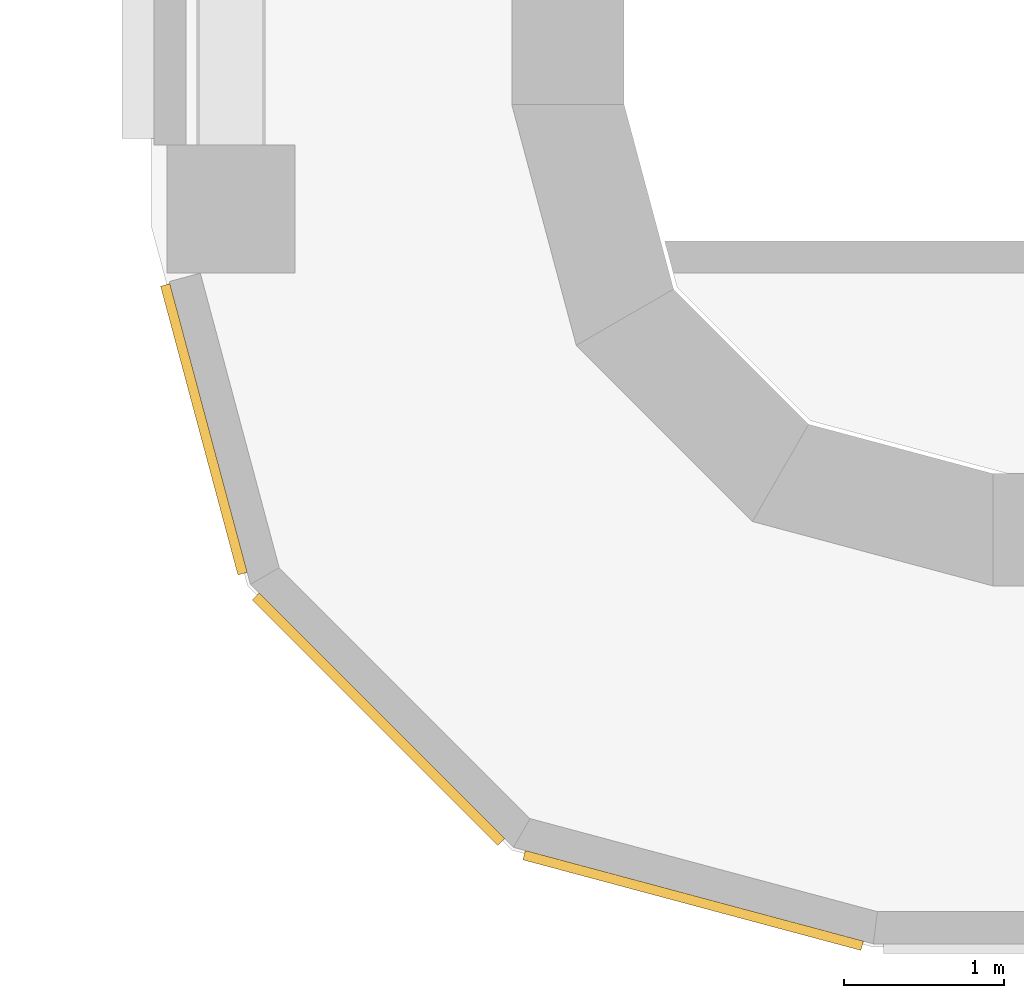
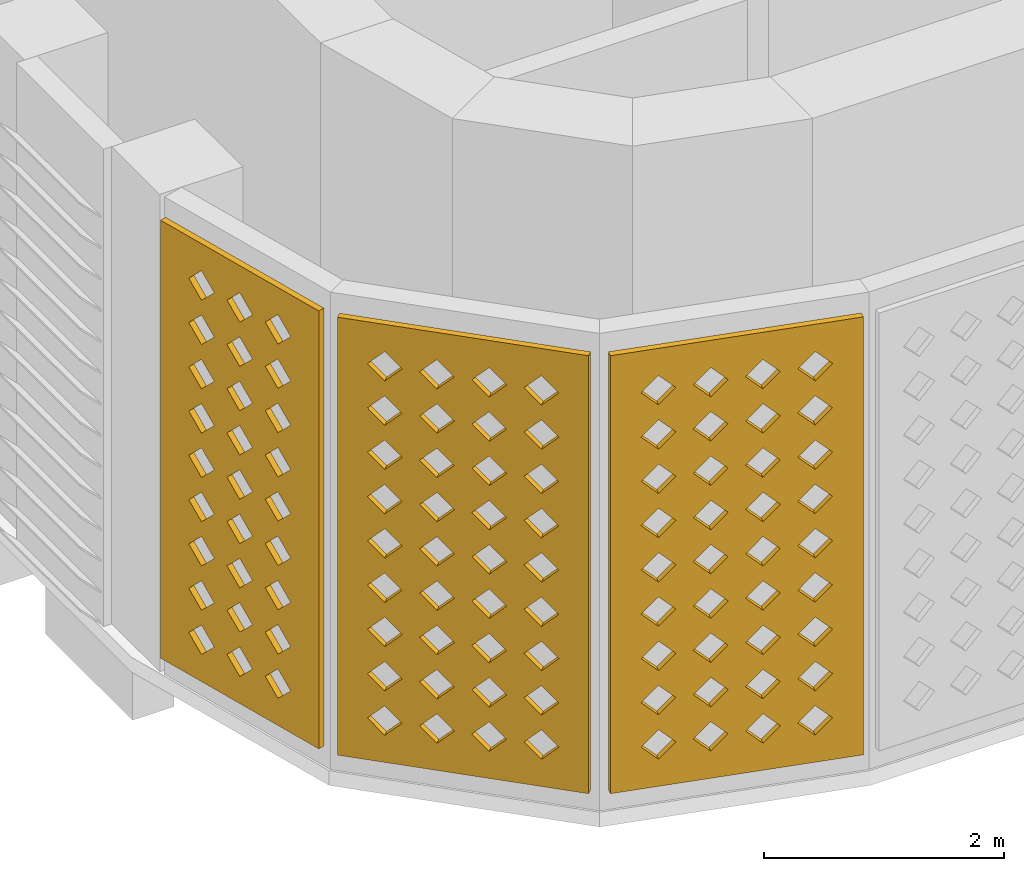
# One storey, part 9 of 21: 3 coverings.
"""IFC4 building model written with IfcOpenShell, lengths in metres."""

from ifc_helpers import new_model, si_unit, direction, frame, origin, place, context, subcontext, project, spatial, polyline, outline, extrude, source, transform, mapped, material, layer, layer_set, type_object, element, save


model = new_model("IFC4")

# Units and contexts
model_context = context("Model", 3, precision=1e-05, world=origin(), true_north=direction((0.0, 1.0)))
body_context = subcontext(model_context, "Body", "Model", "MODEL_VIEW")
ifc_project = project(units=[si_unit("LENGTHUNIT", "METRE"), si_unit("AREAUNIT", "SQUARE_METRE"), si_unit("VOLUMEUNIT", "CUBIC_METRE"), si_unit("PLANEANGLEUNIT", "RADIAN"), si_unit("MASSUNIT", "GRAM", prefix="KILO")], contexts=[model_context])

# Site, building, storey
site_placement = place(None, origin())
site = spatial("IfcSite", under=ifc_project, at=site_placement, CompositionType="ELEMENT")
building_placement = place(site_placement, origin())
building = spatial("IfcBuilding", under=site, at=building_placement, Name="Zarbagh Exchange Tower", CompositionType="ELEMENT")
storey_placement = place(building_placement, frame((0.0, 0.0, 190.39990234375)))
storey = spatial("IfcBuildingStorey", under=building, at=storey_placement, Name="L46", CompositionType="ELEMENT", Elevation=190.39990234375)

# Coverings
ifc_material = material(Name="Glass-fibre reinforced concrete GFRC C50/60", Category="concrete")
ifc_layer = layer(ifc_material, 0.06005859375)
ifc_layer_set = layer_set([ifc_layer], Name="SCREEN jali panel, GFRC")
covering_type = type_object("IfcCoveringType", Name="SCREEN jali panel, GFRC", PredefinedType="CLADDING", material=ifc_layer_set)
shared_shape_1 = source(origin(), body_context, "Body", "SweptSolid", [
    extrude(outline(polyline([(0.0, 0.0), (2.1650390625, 0.0), (2.1650390625, 4.449951171875), (0.0, 4.449951171875), (0.0, 0.0)]), holes=[polyline([(0.257568359375, 0.425048828125), (0.407470703125, 0.27490234375), (0.5576171875, 0.425048828125), (0.407470703125, 0.574951171875), (0.257568359375, 0.425048828125)]), polyline([(0.257568359375, 0.875), (0.407470703125, 0.72509765625), (0.5576171875, 0.875), (0.407470703125, 1.02490234375), (0.257568359375, 0.875)]), polyline([(0.257568359375, 1.324951171875), (0.407470703125, 1.175048828125), (0.5576171875, 1.324951171875), (0.407470703125, 1.47509765625), (0.257568359375, 1.324951171875)]), polyline([(0.257568359375, 1.77490234375), (0.407470703125, 1.625), (0.5576171875, 1.77490234375), (0.407470703125, 1.925048828125), (0.257568359375, 1.77490234375)]), polyline([(0.257568359375, 2.22509765625), (0.407470703125, 2.074951171875), (0.5576171875, 2.22509765625), (0.407470703125, 2.375), (0.257568359375, 2.22509765625)]), polyline([(0.257568359375, 2.675048828125), (0.407470703125, 2.52490234375), (0.5576171875, 2.675048828125), (0.407470703125, 2.824951171875), (0.257568359375, 2.675048828125)]), polyline([(0.257568359375, 3.125), (0.407470703125, 2.97509765625), (0.5576171875, 3.125), (0.407470703125, 3.27490234375), (0.257568359375, 3.125)]), polyline([(0.257568359375, 3.574951171875), (0.407470703125, 3.425048828125), (0.5576171875, 3.574951171875), (0.407470703125, 3.72509765625), (0.257568359375, 3.574951171875)]), polyline([(0.257568359375, 4.02490234375), (0.407470703125, 3.875), (0.5576171875, 4.02490234375), (0.407470703125, 4.175048828125), (0.257568359375, 4.02490234375)]), polyline([(0.70751953125, 0.425048828125), (0.857421875, 0.27490234375), (1.007568359375, 0.425048828125), (0.857421875, 0.574951171875), (0.70751953125, 0.425048828125)]), polyline([(0.70751953125, 0.875), (0.857421875, 0.72509765625), (1.007568359375, 0.875), (0.857421875, 1.02490234375), (0.70751953125, 0.875)]), polyline([(0.70751953125, 1.324951171875), (0.857421875, 1.175048828125), (1.007568359375, 1.324951171875), (0.857421875, 1.47509765625), (0.70751953125, 1.324951171875)]), polyline([(0.70751953125, 1.77490234375), (0.857421875, 1.625), (1.007568359375, 1.77490234375), (0.857421875, 1.925048828125), (0.70751953125, 1.77490234375)]), polyline([(0.70751953125, 2.22509765625), (0.857421875, 2.074951171875), (1.007568359375, 2.22509765625), (0.857421875, 2.375), (0.70751953125, 2.22509765625)]), polyline([(0.70751953125, 2.675048828125), (0.857421875, 2.52490234375), (1.007568359375, 2.675048828125), (0.857421875, 2.824951171875), (0.70751953125, 2.675048828125)]), polyline([(0.70751953125, 3.125), (0.857421875, 2.97509765625), (1.007568359375, 3.125), (0.857421875, 3.27490234375), (0.70751953125, 3.125)]), polyline([(0.70751953125, 3.574951171875), (0.857421875, 3.425048828125), (1.007568359375, 3.574951171875), (0.857421875, 3.72509765625), (0.70751953125, 3.574951171875)]), polyline([(0.70751953125, 4.02490234375), (0.857421875, 3.875), (1.007568359375, 4.02490234375), (0.857421875, 4.175048828125), (0.70751953125, 4.02490234375)]), polyline([(1.157470703125, 0.425048828125), (1.3076171875, 0.27490234375), (1.45751953125, 0.425048828125), (1.3076171875, 0.574951171875), (1.157470703125, 0.425048828125)]), polyline([(1.157470703125, 0.875), (1.3076171875, 0.72509765625), (1.45751953125, 0.875), (1.3076171875, 1.02490234375), (1.157470703125, 0.875)]), polyline([(1.157470703125, 1.324951171875), (1.3076171875, 1.175048828125), (1.45751953125, 1.324951171875), (1.3076171875, 1.47509765625), (1.157470703125, 1.324951171875)]), polyline([(1.157470703125, 1.77490234375), (1.3076171875, 1.625), (1.45751953125, 1.77490234375), (1.3076171875, 1.925048828125), (1.157470703125, 1.77490234375)]), polyline([(1.157470703125, 2.22509765625), (1.3076171875, 2.074951171875), (1.45751953125, 2.22509765625), (1.3076171875, 2.375), (1.157470703125, 2.22509765625)]), polyline([(1.157470703125, 2.675048828125), (1.3076171875, 2.52490234375), (1.45751953125, 2.675048828125), (1.3076171875, 2.824951171875), (1.157470703125, 2.675048828125)]), polyline([(1.157470703125, 3.125), (1.3076171875, 2.97509765625), (1.45751953125, 3.125), (1.3076171875, 3.27490234375), (1.157470703125, 3.125)]), polyline([(1.157470703125, 3.574951171875), (1.3076171875, 3.425048828125), (1.45751953125, 3.574951171875), (1.3076171875, 3.72509765625), (1.157470703125, 3.574951171875)]), polyline([(1.157470703125, 4.02490234375), (1.3076171875, 3.875), (1.45751953125, 4.02490234375), (1.3076171875, 4.175048828125), (1.157470703125, 4.02490234375)]), polyline([(1.607421875, 0.425048828125), (1.757568359375, 0.27490234375), (1.907470703125, 0.425048828125), (1.757568359375, 0.574951171875), (1.607421875, 0.425048828125)]), polyline([(1.607421875, 0.875), (1.757568359375, 0.72509765625), (1.907470703125, 0.875), (1.757568359375, 1.02490234375), (1.607421875, 0.875)]), polyline([(1.607421875, 1.324951171875), (1.757568359375, 1.175048828125), (1.907470703125, 1.324951171875), (1.757568359375, 1.47509765625), (1.607421875, 1.324951171875)]), polyline([(1.607421875, 1.77490234375), (1.757568359375, 1.625), (1.907470703125, 1.77490234375), (1.757568359375, 1.925048828125), (1.607421875, 1.77490234375)]), polyline([(1.607421875, 2.22509765625), (1.757568359375, 2.074951171875), (1.907470703125, 2.22509765625), (1.757568359375, 2.375), (1.607421875, 2.22509765625)]), polyline([(1.607421875, 2.675048828125), (1.757568359375, 2.52490234375), (1.907470703125, 2.675048828125), (1.757568359375, 2.824951171875), (1.607421875, 2.675048828125)]), polyline([(1.607421875, 3.125), (1.757568359375, 2.97509765625), (1.907470703125, 3.125), (1.757568359375, 3.27490234375), (1.607421875, 3.125)]), polyline([(1.607421875, 3.574951171875), (1.757568359375, 3.425048828125), (1.907470703125, 3.574951171875), (1.757568359375, 3.72509765625), (1.607421875, 3.574951171875)]), polyline([(1.607421875, 4.02490234375), (1.757568359375, 3.875), (1.907470703125, 4.02490234375), (1.757568359375, 4.175048828125), (1.607421875, 4.02490234375)])]), origin(), (0.0, 0.0, 1.0), 0.06005859375),
])
placement = place(storey_placement, origin())
element("IfcCovering", 1, at=placement, inside=storey, type_object=covering_type, Name="JS66 jali screen", PredefinedType="CLADDING", context=body_context, shape_type="MappedRepresentation", body=[
    mapped(shared_shape_1, transform((-6.074951171875, -29.2939453125, 0.2001953125), x_axis=(0.707106781187, -0.707106781187, 0.0), y_axis=(0.0, 0.0, 1.0), z_axis=(-0.707106781187, -0.707106781187, 0.0))),
])
shared_shape_2 = source(origin(), body_context, "Body", "SweptSolid", [
    extrude(outline(polyline([(0.0, 0.0), (2.181396484375, 0.0), (2.181396484375, 4.449951171875), (0.0, 4.449951171875), (0.0, 0.0)]), holes=[polyline([(0.265625, 0.425048828125), (0.415771484375, 0.27490234375), (0.565673828125, 0.425048828125), (0.415771484375, 0.574951171875), (0.265625, 0.425048828125)]), polyline([(0.265625, 0.875), (0.415771484375, 0.72509765625), (0.565673828125, 0.875), (0.415771484375, 1.02490234375), (0.265625, 0.875)]), polyline([(0.265625, 1.324951171875), (0.415771484375, 1.175048828125), (0.565673828125, 1.324951171875), (0.415771484375, 1.47509765625), (0.265625, 1.324951171875)]), polyline([(0.265625, 1.77490234375), (0.415771484375, 1.625), (0.565673828125, 1.77490234375), (0.415771484375, 1.925048828125), (0.265625, 1.77490234375)]), polyline([(0.265625, 2.22509765625), (0.415771484375, 2.074951171875), (0.565673828125, 2.22509765625), (0.415771484375, 2.375), (0.265625, 2.22509765625)]), polyline([(0.265625, 2.675048828125), (0.415771484375, 2.52490234375), (0.565673828125, 2.675048828125), (0.415771484375, 2.824951171875), (0.265625, 2.675048828125)]), polyline([(0.265625, 3.125), (0.415771484375, 2.97509765625), (0.565673828125, 3.125), (0.415771484375, 3.27490234375), (0.265625, 3.125)]), polyline([(0.265625, 3.574951171875), (0.415771484375, 3.425048828125), (0.565673828125, 3.574951171875), (0.415771484375, 3.72509765625), (0.265625, 3.574951171875)]), polyline([(0.265625, 4.02490234375), (0.415771484375, 3.875), (0.565673828125, 4.02490234375), (0.415771484375, 4.175048828125), (0.265625, 4.02490234375)]), polyline([(0.7158203125, 0.425048828125), (0.86572265625, 0.27490234375), (1.015625, 0.425048828125), (0.86572265625, 0.574951171875), (0.7158203125, 0.425048828125)]), polyline([(0.7158203125, 0.875), (0.86572265625, 0.72509765625), (1.015625, 0.875), (0.86572265625, 1.02490234375), (0.7158203125, 0.875)]), polyline([(0.7158203125, 1.324951171875), (0.86572265625, 1.175048828125), (1.015625, 1.324951171875), (0.86572265625, 1.47509765625), (0.7158203125, 1.324951171875)]), polyline([(0.7158203125, 1.77490234375), (0.86572265625, 1.625), (1.015625, 1.77490234375), (0.86572265625, 1.925048828125), (0.7158203125, 1.77490234375)]), polyline([(0.7158203125, 2.22509765625), (0.86572265625, 2.074951171875), (1.015625, 2.22509765625), (0.86572265625, 2.375), (0.7158203125, 2.22509765625)]), polyline([(0.7158203125, 2.675048828125), (0.86572265625, 2.52490234375), (1.015625, 2.675048828125), (0.86572265625, 2.824951171875), (0.7158203125, 2.675048828125)]), polyline([(0.7158203125, 3.125), (0.86572265625, 2.97509765625), (1.015625, 3.125), (0.86572265625, 3.27490234375), (0.7158203125, 3.125)]), polyline([(0.7158203125, 3.574951171875), (0.86572265625, 3.425048828125), (1.015625, 3.574951171875), (0.86572265625, 3.72509765625), (0.7158203125, 3.574951171875)]), polyline([(0.7158203125, 4.02490234375), (0.86572265625, 3.875), (1.015625, 4.02490234375), (0.86572265625, 4.175048828125), (0.7158203125, 4.02490234375)]), polyline([(1.165771484375, 0.425048828125), (1.315673828125, 0.27490234375), (1.4658203125, 0.425048828125), (1.315673828125, 0.574951171875), (1.165771484375, 0.425048828125)]), polyline([(1.165771484375, 0.875), (1.315673828125, 0.72509765625), (1.4658203125, 0.875), (1.315673828125, 1.02490234375), (1.165771484375, 0.875)]), polyline([(1.165771484375, 1.324951171875), (1.315673828125, 1.175048828125), (1.4658203125, 1.324951171875), (1.315673828125, 1.47509765625), (1.165771484375, 1.324951171875)]), polyline([(1.165771484375, 1.77490234375), (1.315673828125, 1.625), (1.4658203125, 1.77490234375), (1.315673828125, 1.925048828125), (1.165771484375, 1.77490234375)]), polyline([(1.165771484375, 2.22509765625), (1.315673828125, 2.074951171875), (1.4658203125, 2.22509765625), (1.315673828125, 2.375), (1.165771484375, 2.22509765625)]), polyline([(1.165771484375, 2.675048828125), (1.315673828125, 2.52490234375), (1.4658203125, 2.675048828125), (1.315673828125, 2.824951171875), (1.165771484375, 2.675048828125)]), polyline([(1.165771484375, 3.125), (1.315673828125, 2.97509765625), (1.4658203125, 3.125), (1.315673828125, 3.27490234375), (1.165771484375, 3.125)]), polyline([(1.165771484375, 3.574951171875), (1.315673828125, 3.425048828125), (1.4658203125, 3.574951171875), (1.315673828125, 3.72509765625), (1.165771484375, 3.574951171875)]), polyline([(1.165771484375, 4.02490234375), (1.315673828125, 3.875), (1.4658203125, 4.02490234375), (1.315673828125, 4.175048828125), (1.165771484375, 4.02490234375)]), polyline([(1.61572265625, 0.425048828125), (1.765625, 0.27490234375), (1.915771484375, 0.425048828125), (1.765625, 0.574951171875), (1.61572265625, 0.425048828125)]), polyline([(1.61572265625, 0.875), (1.765625, 0.72509765625), (1.915771484375, 0.875), (1.765625, 1.02490234375), (1.61572265625, 0.875)]), polyline([(1.61572265625, 1.324951171875), (1.765625, 1.175048828125), (1.915771484375, 1.324951171875), (1.765625, 1.47509765625), (1.61572265625, 1.324951171875)]), polyline([(1.61572265625, 1.77490234375), (1.765625, 1.625), (1.915771484375, 1.77490234375), (1.765625, 1.925048828125), (1.61572265625, 1.77490234375)]), polyline([(1.61572265625, 2.22509765625), (1.765625, 2.074951171875), (1.915771484375, 2.22509765625), (1.765625, 2.375), (1.61572265625, 2.22509765625)]), polyline([(1.61572265625, 2.675048828125), (1.765625, 2.52490234375), (1.915771484375, 2.675048828125), (1.765625, 2.824951171875), (1.61572265625, 2.675048828125)]), polyline([(1.61572265625, 3.125), (1.765625, 2.97509765625), (1.915771484375, 3.125), (1.765625, 3.27490234375), (1.61572265625, 3.125)]), polyline([(1.61572265625, 3.574951171875), (1.765625, 3.425048828125), (1.915771484375, 3.574951171875), (1.765625, 3.72509765625), (1.61572265625, 3.574951171875)]), polyline([(1.61572265625, 4.02490234375), (1.765625, 3.875), (1.915771484375, 4.02490234375), (1.765625, 4.175048828125), (1.61572265625, 4.02490234375)])]), origin(), (0.0, 0.0, 1.0), 0.06005859375),
])
element("IfcCovering", 2, at=placement, inside=storey, type_object=covering_type, Name="JS67 jali screen", PredefinedType="CLADDING", context=body_context, shape_type="MappedRepresentation", body=[
    mapped(shared_shape_2, transform((-4.41552734375, -30.89892578125, 0.2001953125), x_axis=(0.965924215207, -0.258825057666, 0.0), y_axis=(0.0, 0.0, 1.0), z_axis=(-0.258825057666, -0.965924215207, 0.0))),
])
shared_shape_3 = source(origin(), body_context, "Body", "SweptSolid", [
    extrude(outline(polyline([(0.0, 0.0), (1.863037109375, 0.0), (1.863037109375, 4.449951171875), (0.0, 4.449951171875), (0.0, 0.0)]), holes=[polyline([(0.33154296875, 0.425048828125), (0.4814453125, 0.27490234375), (0.631591796875, 0.425048828125), (0.4814453125, 0.574951171875), (0.33154296875, 0.425048828125)]), polyline([(0.33154296875, 0.875), (0.4814453125, 0.72509765625), (0.631591796875, 0.875), (0.4814453125, 1.02490234375), (0.33154296875, 0.875)]), polyline([(0.33154296875, 1.324951171875), (0.4814453125, 1.175048828125), (0.631591796875, 1.324951171875), (0.4814453125, 1.47509765625), (0.33154296875, 1.324951171875)]), polyline([(0.33154296875, 1.77490234375), (0.4814453125, 1.625), (0.631591796875, 1.77490234375), (0.4814453125, 1.925048828125), (0.33154296875, 1.77490234375)]), polyline([(0.33154296875, 2.22509765625), (0.4814453125, 2.074951171875), (0.631591796875, 2.22509765625), (0.4814453125, 2.375), (0.33154296875, 2.22509765625)]), polyline([(0.33154296875, 2.675048828125), (0.4814453125, 2.52490234375), (0.631591796875, 2.675048828125), (0.4814453125, 2.824951171875), (0.33154296875, 2.675048828125)]), polyline([(0.33154296875, 3.125), (0.4814453125, 2.97509765625), (0.631591796875, 3.125), (0.4814453125, 3.27490234375), (0.33154296875, 3.125)]), polyline([(0.33154296875, 3.574951171875), (0.4814453125, 3.425048828125), (0.631591796875, 3.574951171875), (0.4814453125, 3.72509765625), (0.33154296875, 3.574951171875)]), polyline([(0.33154296875, 4.02490234375), (0.4814453125, 3.875), (0.631591796875, 4.02490234375), (0.4814453125, 4.175048828125), (0.33154296875, 4.02490234375)]), polyline([(0.781494140625, 0.425048828125), (0.931396484375, 0.27490234375), (1.08154296875, 0.425048828125), (0.931396484375, 0.574951171875), (0.781494140625, 0.425048828125)]), polyline([(0.781494140625, 0.875), (0.931396484375, 0.72509765625), (1.08154296875, 0.875), (0.931396484375, 1.02490234375), (0.781494140625, 0.875)]), polyline([(0.781494140625, 1.324951171875), (0.931396484375, 1.175048828125), (1.08154296875, 1.324951171875), (0.931396484375, 1.47509765625), (0.781494140625, 1.324951171875)]), polyline([(0.781494140625, 1.77490234375), (0.931396484375, 1.625), (1.08154296875, 1.77490234375), (0.931396484375, 1.925048828125), (0.781494140625, 1.77490234375)]), polyline([(0.781494140625, 2.22509765625), (0.931396484375, 2.074951171875), (1.08154296875, 2.22509765625), (0.931396484375, 2.375), (0.781494140625, 2.22509765625)]), polyline([(0.781494140625, 2.675048828125), (0.931396484375, 2.52490234375), (1.08154296875, 2.675048828125), (0.931396484375, 2.824951171875), (0.781494140625, 2.675048828125)]), polyline([(0.781494140625, 3.125), (0.931396484375, 2.97509765625), (1.08154296875, 3.125), (0.931396484375, 3.27490234375), (0.781494140625, 3.125)]), polyline([(0.781494140625, 3.574951171875), (0.931396484375, 3.425048828125), (1.08154296875, 3.574951171875), (0.931396484375, 3.72509765625), (0.781494140625, 3.574951171875)]), polyline([(0.781494140625, 4.02490234375), (0.931396484375, 3.875), (1.08154296875, 4.02490234375), (0.931396484375, 4.175048828125), (0.781494140625, 4.02490234375)]), polyline([(1.2314453125, 0.425048828125), (1.381591796875, 0.27490234375), (1.531494140625, 0.425048828125), (1.381591796875, 0.574951171875), (1.2314453125, 0.425048828125)]), polyline([(1.2314453125, 0.875), (1.381591796875, 0.72509765625), (1.531494140625, 0.875), (1.381591796875, 1.02490234375), (1.2314453125, 0.875)]), polyline([(1.2314453125, 1.324951171875), (1.381591796875, 1.175048828125), (1.531494140625, 1.324951171875), (1.381591796875, 1.47509765625), (1.2314453125, 1.324951171875)]), polyline([(1.2314453125, 1.77490234375), (1.381591796875, 1.625), (1.531494140625, 1.77490234375), (1.381591796875, 1.925048828125), (1.2314453125, 1.77490234375)]), polyline([(1.2314453125, 2.22509765625), (1.381591796875, 2.074951171875), (1.531494140625, 2.22509765625), (1.381591796875, 2.375), (1.2314453125, 2.22509765625)]), polyline([(1.2314453125, 2.675048828125), (1.381591796875, 2.52490234375), (1.531494140625, 2.675048828125), (1.381591796875, 2.824951171875), (1.2314453125, 2.675048828125)]), polyline([(1.2314453125, 3.125), (1.381591796875, 2.97509765625), (1.531494140625, 3.125), (1.381591796875, 3.27490234375), (1.2314453125, 3.125)]), polyline([(1.2314453125, 3.574951171875), (1.381591796875, 3.425048828125), (1.531494140625, 3.574951171875), (1.381591796875, 3.72509765625), (1.2314453125, 3.574951171875)]), polyline([(1.2314453125, 4.02490234375), (1.381591796875, 3.875), (1.531494140625, 4.02490234375), (1.381591796875, 4.175048828125), (1.2314453125, 4.02490234375)])]), origin(), (0.0, 0.0, 1.0), 0.06005859375),
])
element("IfcCovering", 3, at=placement, inside=storey, type_object=covering_type, Name="JS65 jali screen", PredefinedType="CLADDING", context=body_context, shape_type="MappedRepresentation", body=[
    mapped(shared_shape_3, transform((-6.63134765625, -27.365966796875, 0.2001953125), x_axis=(0.258825057666, -0.965924215207, 0.0), y_axis=(0.0, 0.0, 1.0), z_axis=(-0.965924215207, -0.258825057666, 0.0))),
])

save(model, "model.ifc")
